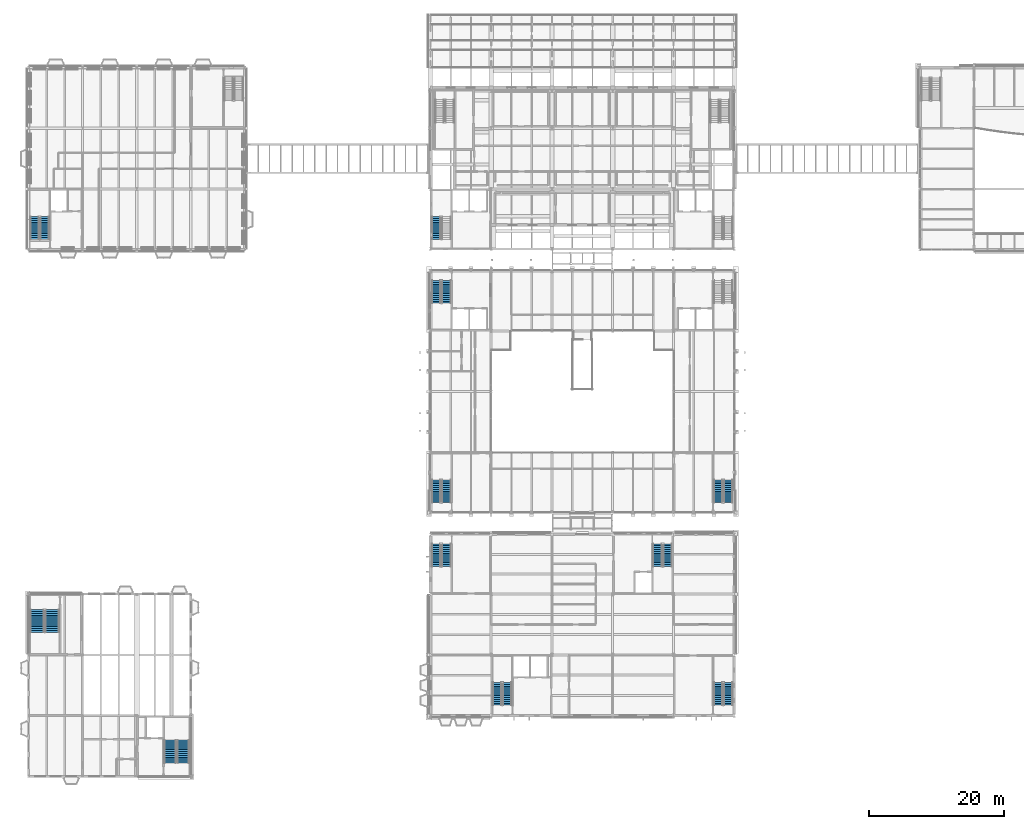
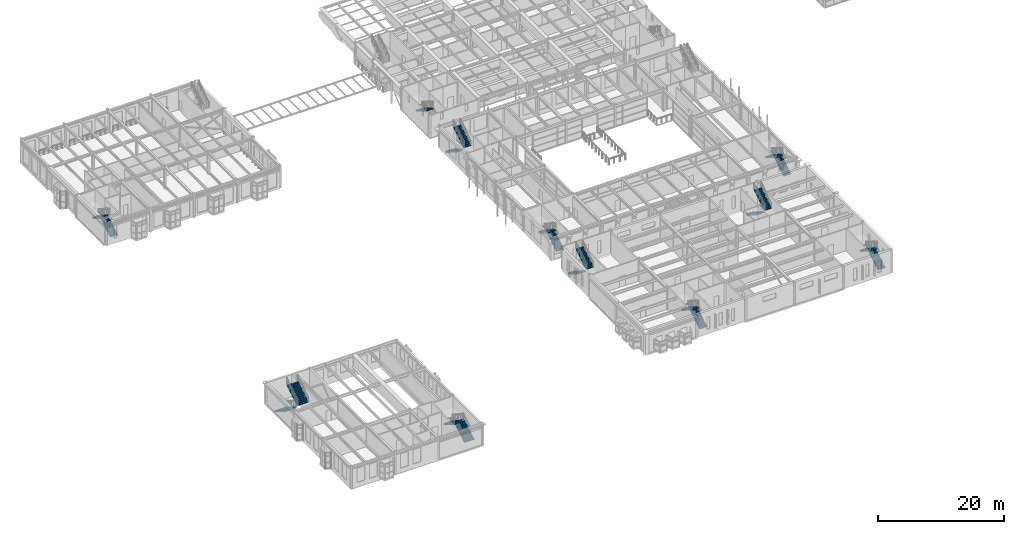
# One storey, part 109 of 153: 21 stair flights, 11 elements without a shape of their own.
"""IFC4 building model written with IfcOpenShell, lengths in metres."""

import ifcopenshell
import ifcopenshell.guid

model = None  # the IFC model being written
_history = None  # IfcOwnerHistory: only IFC2X3 demands one
_inside = {}  # id of a spatial element -> (the spatial element, [elements in it])
_under = {}  # id of a project, library or spatial element -> (it, [spatial elements below it])
_declared = {}  # id of a project -> (the project, [libraries it declares])
_typed = {}  # id of a type object -> (the type object, [elements of that type])
_made_of = {}  # id of a material, layer set ... -> (it, [elements and type objects made of it])


def new_model(schema):
    """Start an empty IFC model of exactly this schema.

    Asked for "IFC4X3", IfcOpenShell would pick the latest addendum, in which some entities
    have other attributes; the version numbers below select the first issue.
    IFC2X3 requires an IfcOwnerHistory on every rooted entity: one is made here for all.
    """
    global model, _history
    if schema == "IFC4X3":
        model = ifcopenshell.file(schema_version=(4, 3, 0, 0))
    else:
        model = ifcopenshell.file(schema=schema)
    _inside.clear()
    _under.clear()
    _declared.clear()
    _typed.clear()
    _made_of.clear()
    _history = None
    if model.schema == "IFC2X3":
        org = make("IfcOrganization", Name="unknown")
        user = make(
            "IfcPersonAndOrganization",
            ThePerson=make("IfcPerson", FamilyName="unknown"),
            TheOrganization=org,
        )
        app = make(
            "IfcApplication",
            ApplicationDeveloper=org,
            Version="unknown",
            ApplicationFullName="unknown",
            ApplicationIdentifier="unknown",
        )
        _history = make(
            "IfcOwnerHistory",
            OwningUser=user,
            OwningApplication=app,
            ChangeAction="ADDED",
            CreationDate=0,
        )
    return model


def make(cls, **values):
    """One entity of the class cls with the attributes given. An attribute that is None is left unset."""
    return model.create_entity(
        cls, **{name: value for name, value in values.items() if value is not None}
    )


def rooted(cls, **values):
    """An entity with a GlobalId (a new one), such as an element, a storey or a relation."""
    return make(cls, GlobalId=ifcopenshell.guid.new(), OwnerHistory=_history, **values)


def si_unit(unit_type, name, prefix=None):
    """IfcSIUnit, for example si_unit("LENGTHUNIT", "METRE", prefix="MILLI")."""
    return make("IfcSIUnit", UnitType=unit_type, Prefix=prefix, Name=name)


def assignment(units):
    """IfcUnitAssignment: the units of a project."""
    return None if units is None else make("IfcUnitAssignment", Units=units)


def point(xyz):
    """IfcCartesianPoint."""
    return None if xyz is None else make("IfcCartesianPoint", Coordinates=xyz)


def direction(xyz):
    """IfcDirection."""
    return None if xyz is None else make("IfcDirection", DirectionRatios=xyz)


def frame(location, z_axis=None, x_axis=None):
    """IfcAxis2Placement3D, a coordinate frame: its origin and axes. An axis left out is left unset."""
    return make(
        "IfcAxis2Placement3D",
        Location=point(location),
        Axis=direction(z_axis),
        RefDirection=direction(x_axis),
    )


def origin():
    """The frame at (0, 0, 0) with its axes left unset."""
    return frame((0.0, 0.0, 0.0))


def place(relative_to, where):
    """IfcLocalPlacement: puts the frame where relative to a parent placement (None: the world)."""
    return make(
        "IfcLocalPlacement", PlacementRelTo=relative_to, RelativePlacement=where
    )


def context(
    kind, dimensions, precision=None, world=None, true_north=None, identifier=None
):
    """IfcGeometricRepresentationContext, for example the 3D "Model" context."""
    return make(
        "IfcGeometricRepresentationContext",
        ContextIdentifier=identifier,
        ContextType=kind,
        CoordinateSpaceDimension=dimensions,
        Precision=precision,
        WorldCoordinateSystem=world,
        TrueNorth=true_north,
    )


def subcontext(parent, identifier, kind, view, scale=None):
    """IfcGeometricRepresentationSubContext, for example "Body" below "Model"."""
    return make(
        "IfcGeometricRepresentationSubContext",
        ContextIdentifier=identifier,
        ContextType=kind,
        ParentContext=parent,
        TargetScale=scale,
        TargetView=view,
    )


def project(units=None, contexts=None):
    """IfcProject with its units and contexts."""
    return rooted(
        "IfcProject",
        Name="project",
        RepresentationContexts=contexts,
        UnitsInContext=assignment(units),
    )


def spatial(cls, under=None, at=None, **own):
    """A site, building, storey or space (cls), placed at a placement, below another one or the project."""
    s = rooted(cls, ObjectPlacement=at, **own)
    if under is not None:
        _under.setdefault(under.id(), (under, []))[1].append(s)
    return s


def polyline(points):
    """IfcPolyline through the points."""
    return make("IfcPolyline", Points=[point(p) for p in points])


def outline(outer, holes=None, kind="AREA"):
    """IfcArbitraryClosedProfileDef: a profile drawn as a closed curve; with holes, ...WithVoids."""
    if holes is None:
        return make("IfcArbitraryClosedProfileDef", ProfileType=kind, OuterCurve=outer)
    return make(
        "IfcArbitraryProfileDefWithVoids",
        ProfileType=kind,
        OuterCurve=outer,
        InnerCurves=holes,
    )


def extrude(swept, where, along, depth):
    """IfcExtrudedAreaSolid: the profile swept, set in the frame where, extruded along a direction by depth."""
    return make(
        "IfcExtrudedAreaSolid",
        SweptArea=swept,
        Position=where,
        ExtrudedDirection=direction(along),
        Depth=depth,
    )


def shape(context_of_items, identifier, shape_type, items):
    """IfcShapeRepresentation: the items that make up one representation, for example the "Body"."""
    return make(
        "IfcShapeRepresentation",
        ContextOfItems=context_of_items,
        RepresentationIdentifier=identifier,
        RepresentationType=shape_type,
        Items=items,
    )


def material(Name=None, Category=None):
    """IfcMaterial."""
    return make("IfcMaterial", Name=Name, Category=Category)


def made_of(thing, what):
    """Note that an element or type object is made of a material, layer set ...; save() writes the relation."""
    if what is not None:
        _made_of.setdefault(what.id(), (what, []))[1].append(thing)
    return thing


def type_object(cls, material=None, **own):
    """A type object (cls), such as IfcWallType, which elements share."""
    return made_of(rooted(cls, **own), material)


def element(
    cls,
    number,
    at=None,
    inside=None,
    cuts=None,
    type_object=None,
    material=None,
    context=None,
    identifier="Body",
    shape_type=None,
    held_by="IfcProductDefinitionShape",
    body=None,
    shapes=None,
    **own,
):
    """One element of the class cls, such as IfcWall. Its Tag is "e" and its number.

    at: its placement. inside: the storey or other place that contains it. cuts: it is an
    opening in that element (IfcRelVoidsElement). A single representation is given by context,
    identifier, shape_type and body (its items); several are given by shapes. held_by: the class
    of the entity that holds the representations. save() writes the other relations.
    """
    e = rooted(cls, Tag="e%d" % number, ObjectPlacement=at, **own)
    if body is not None:
        shapes = [shape(context, identifier, shape_type, body)]
    if shapes is not None:
        e.Representation = make(held_by, Representations=shapes)
    if inside is not None:
        _inside.setdefault(inside.id(), (inside, []))[1].append(e)
    if cuts is not None:
        rooted(
            "IfcRelVoidsElement", RelatingBuildingElement=cuts, RelatedOpeningElement=e
        )
    if type_object is not None:
        _typed.setdefault(type_object.id(), (type_object, []))[1].append(e)
    return made_of(e, material)


def aggregate(whole, parts):
    """IfcRelAggregates: a whole, such as a stair, and the parts it consists of."""
    return rooted("IfcRelAggregates", RelatingObject=whole, RelatedObjects=parts)


def save(model, path):
    """Write the relations noted so far, then the file.

    IfcRelAggregates (storeys below a building ...), IfcRelContainedInSpatialStructure (elements
    in a storey), IfcRelDefinesByType, IfcRelAssociatesMaterial and IfcRelDeclares: one each for
    every whole, place, type object, material and project.
    """
    for whole, parts in _under.values():
        aggregate(whole, parts)
    for where, things in _inside.values():
        rooted(
            "IfcRelContainedInSpatialStructure",
            RelatedElements=things,
            RelatingStructure=where,
        )
    for kind, things in _typed.values():
        rooted("IfcRelDefinesByType", RelatedObjects=things, RelatingType=kind)
    for what, things in _made_of.values():
        rooted("IfcRelAssociatesMaterial", RelatedObjects=things, RelatingMaterial=what)
    for by, libraries in _declared.values():
        rooted("IfcRelDeclares", RelatingContext=by, RelatedDefinitions=libraries)
    model.write(path)


model = new_model("IFC4")

# Units and contexts
model_context = context("Model", 3, precision=1e-05, world=origin(), true_north=direction((0.0, 1.0)))
body_context = subcontext(model_context, "Body", "Model", "MODEL_VIEW")
ifc_project = project(units=[si_unit("LENGTHUNIT", "METRE"), si_unit("AREAUNIT", "SQUARE_METRE"), si_unit("VOLUMEUNIT", "CUBIC_METRE"), si_unit("PLANEANGLEUNIT", "RADIAN"), si_unit("MASSUNIT", "GRAM", prefix="KILO")], contexts=[model_context])

# Site, building, storey
site_placement = place(None, origin())
site = spatial("IfcSite", under=ifc_project, at=site_placement, CompositionType="ELEMENT")
building_placement = place(site_placement, origin())
building = spatial("IfcBuilding", under=site, at=building_placement, Name="Kallimachos Central Library", CompositionType="ELEMENT")
storey_placement = place(building_placement, frame((0.0, 0.0, 5.39990234375)))
storey = spatial("IfcBuildingStorey", under=building, at=storey_placement, Name="L01", CompositionType="ELEMENT", Elevation=5.39990234375)

# Stair, stair flights
ifc_material_1 = material(Name="Concrete C30/37", Category="concrete")
stair_type_1 = type_object("IfcStairType", Name="Concrete stair 1350", PredefinedType="HALF_TURN_STAIR", material=ifc_material_1)
stair_1_placement = place(storey_placement, origin())
stair_1 = element("IfcStair", 1, at=stair_1_placement, inside=storey, type_object=stair_type_1, Name="L01 stair ST13", PredefinedType="HALF_TURN_STAIR")
ifc_material_2 = material(Name="Concrete C30/37", Category="concrete")
stair_flight_type_1 = type_object("IfcStairFlightType", Name="Concrete stair flight 1350", PredefinedType="STRAIGHT", material=ifc_material_2)
stair_flight_1_placement = place(storey_placement, frame((76.875, 19.550048828125, 0.0), z_axis=(0.0, 0.0, 1.0), x_axis=(0.0, 1.0, 0.0)))
stair_flight_1 = element("IfcStairFlight", 2, at=stair_flight_1_placement, type_object=stair_flight_type_1, Name="ST13 flight 1", NumberOfRisers=13, NumberOfTreads=12, PredefinedType="STRAIGHT", RiserHeight=0.173076923, TreadLength=0.28, context=body_context, shape_type="SweptSolid", body=[
    extrude(outline(polyline([(0.0, 0.0), (0.0, 0.173095703125), (0.280029296875, 0.173095703125), (0.280029296875, 0.34619140625), (0.56005859375, 0.34619140625), (0.56005859375, 0.519287109375), (0.840087890625, 0.519287109375), (0.840087890625, 0.6923828125), (1.1201171875, 0.6923828125), (1.1201171875, 0.865478515625), (1.39990234375, 0.865478515625), (1.39990234375, 1.03857421875), (1.679931640625, 1.03857421875), (1.679931640625, 1.21142578125), (1.9599609375, 1.21142578125), (1.9599609375, 1.384521484375), (2.239990234375, 1.384521484375), (2.239990234375, 1.5576171875), (2.52001953125, 1.5576171875), (2.52001953125, 1.730712890625), (2.800048828125, 1.730712890625), (2.800048828125, 1.90380859375), (3.080078125, 1.90380859375), (3.080078125, 2.076904296875), (3.360107421875, 2.076904296875), (3.360107421875, 2.25), (3.360107421875, 1.900634765625), (0.28515625, 0.0), (0.0, 0.0)])), frame((0.0, 0.675048828125, 0.0), z_axis=(0.0, -1.0, 0.0), x_axis=(1.0, 0.0, 0.0)), (0.0, 0.0, 1.0), 1.35009765625),
])
stair_flight_2_placement = place(storey_placement, frame((75.375, 22.909912109375, 2.25), z_axis=(0.0, 0.0, 1.0), x_axis=(0.0, -1.0, 0.0)))
stair_flight_2 = element("IfcStairFlight", 3, at=stair_flight_2_placement, type_object=stair_flight_type_1, Name="ST13 flight 2", NumberOfRisers=13, NumberOfTreads=12, PredefinedType="STRAIGHT", RiserHeight=0.173076923, TreadLength=0.28, context=body_context, shape_type="SweptSolid", body=[
    extrude(outline(polyline([(0.0, 0.0), (0.0, 0.173095703125), (0.280029296875, 0.173095703125), (0.280029296875, 0.34619140625), (0.56005859375, 0.34619140625), (0.56005859375, 0.519287109375), (0.840087890625, 0.519287109375), (0.840087890625, 0.6923828125), (1.1201171875, 0.6923828125), (1.1201171875, 0.865478515625), (1.39990234375, 0.865478515625), (1.39990234375, 1.03857421875), (1.679931640625, 1.03857421875), (1.679931640625, 1.21142578125), (1.9599609375, 1.21142578125), (1.9599609375, 1.384521484375), (2.239990234375, 1.384521484375), (2.239990234375, 1.5576171875), (2.52001953125, 1.5576171875), (2.52001953125, 1.730712890625), (2.800048828125, 1.730712890625), (2.800048828125, 1.90380859375), (3.080078125, 1.90380859375), (3.080078125, 2.076904296875), (3.360107421875, 2.076904296875), (3.360107421875, 2.25), (3.360107421875, 1.900634765625), (0.28515625, 0.0), (0.0, 0.0)])), frame((0.0, 0.675048828125, 0.0), z_axis=(0.0, -1.0, 0.0), x_axis=(1.0, 0.0, 0.0)), (0.0, 0.0, 1.0), 1.35009765625),
])
aggregate(stair_1, [stair_flight_1, stair_flight_2])

stair_2_placement = place(storey_placement, origin())
stair_2 = element("IfcStair", 4, at=stair_2_placement, inside=storey, type_object=stair_type_1, Name="L01 stair ST14", PredefinedType="HALF_TURN_STAIR")
stair_flight_3_placement = place(storey_placement, frame((99.125, 43.449951171875, 0.0), z_axis=(0.0, 0.0, 1.0), x_axis=(0.0, -1.0, 0.0)))
stair_flight_3 = element("IfcStairFlight", 5, at=stair_flight_3_placement, type_object=stair_flight_type_1, Name="ST14 flight 1", NumberOfRisers=13, NumberOfTreads=12, PredefinedType="STRAIGHT", RiserHeight=0.173076923, TreadLength=0.28, context=body_context, shape_type="SweptSolid", body=[
    extrude(outline(polyline([(0.0, 0.0), (0.0, 0.173095703125), (0.280029296875, 0.173095703125), (0.280029296875, 0.34619140625), (0.56005859375, 0.34619140625), (0.56005859375, 0.519287109375), (0.840087890625, 0.519287109375), (0.840087890625, 0.6923828125), (1.1201171875, 0.6923828125), (1.1201171875, 0.865478515625), (1.39990234375, 0.865478515625), (1.39990234375, 1.03857421875), (1.679931640625, 1.03857421875), (1.679931640625, 1.21142578125), (1.9599609375, 1.21142578125), (1.9599609375, 1.384521484375), (2.239990234375, 1.384521484375), (2.239990234375, 1.5576171875), (2.52001953125, 1.5576171875), (2.52001953125, 1.730712890625), (2.800048828125, 1.730712890625), (2.800048828125, 1.90380859375), (3.080078125, 1.90380859375), (3.080078125, 2.076904296875), (3.360107421875, 2.076904296875), (3.360107421875, 2.25), (3.360107421875, 1.900634765625), (0.28515625, 0.0), (0.0, 0.0)])), frame((0.0, 0.675048828125, 0.0), z_axis=(0.0, -1.0, 0.0), x_axis=(1.0, 0.0, 0.0)), (0.0, 0.0, 1.0), 1.35009765625),
])
stair_flight_4_placement = place(storey_placement, frame((100.625, 40.090087890625, 2.25), z_axis=(0.0, 0.0, 1.0), x_axis=(0.0, 1.0, 0.0)))
stair_flight_4 = element("IfcStairFlight", 6, at=stair_flight_4_placement, type_object=stair_flight_type_1, Name="ST14 flight 2", NumberOfRisers=13, NumberOfTreads=12, PredefinedType="STRAIGHT", RiserHeight=0.173076923, TreadLength=0.28, context=body_context, shape_type="SweptSolid", body=[
    extrude(outline(polyline([(0.0, 0.0), (0.0, 0.173095703125), (0.280029296875, 0.173095703125), (0.280029296875, 0.34619140625), (0.56005859375, 0.34619140625), (0.56005859375, 0.519287109375), (0.840087890625, 0.519287109375), (0.840087890625, 0.6923828125), (1.1201171875, 0.6923828125), (1.1201171875, 0.865478515625), (1.39990234375, 0.865478515625), (1.39990234375, 1.03857421875), (1.679931640625, 1.03857421875), (1.679931640625, 1.21142578125), (1.9599609375, 1.21142578125), (1.9599609375, 1.384521484375), (2.239990234375, 1.384521484375), (2.239990234375, 1.5576171875), (2.52001953125, 1.5576171875), (2.52001953125, 1.730712890625), (2.800048828125, 1.730712890625), (2.800048828125, 1.90380859375), (3.080078125, 1.90380859375), (3.080078125, 2.076904296875), (3.360107421875, 2.076904296875), (3.360107421875, 2.25), (3.360107421875, 1.900634765625), (0.28515625, 0.0), (0.0, 0.0)])), frame((0.0, 0.675048828125, 0.0), z_axis=(0.0, -1.0, 0.0), x_axis=(1.0, 0.0, 0.0)), (0.0, 0.0, 1.0), 1.35009765625),
])
aggregate(stair_2, [stair_flight_3, stair_flight_4])

stair_3_placement = place(storey_placement, origin())
stair_3 = element("IfcStair", 7, at=stair_3_placement, inside=storey, type_object=stair_type_1, Name="L01 stair ST15", PredefinedType="HALF_TURN_STAIR")
stair_flight_5_placement = place(storey_placement, frame((66.375, 43.449951171875, 0.0), z_axis=(0.0, 0.0, 1.0), x_axis=(0.0, -1.0, 0.0)))
stair_flight_5 = element("IfcStairFlight", 8, at=stair_flight_5_placement, type_object=stair_flight_type_1, Name="ST15 flight 1", NumberOfRisers=13, NumberOfTreads=12, PredefinedType="STRAIGHT", RiserHeight=0.173076923, TreadLength=0.28, context=body_context, shape_type="SweptSolid", body=[
    extrude(outline(polyline([(0.0, 0.0), (0.0, 0.173095703125), (0.280029296875, 0.173095703125), (0.280029296875, 0.34619140625), (0.56005859375, 0.34619140625), (0.56005859375, 0.519287109375), (0.840087890625, 0.519287109375), (0.840087890625, 0.6923828125), (1.1201171875, 0.6923828125), (1.1201171875, 0.865478515625), (1.39990234375, 0.865478515625), (1.39990234375, 1.03857421875), (1.679931640625, 1.03857421875), (1.679931640625, 1.21142578125), (1.9599609375, 1.21142578125), (1.9599609375, 1.384521484375), (2.239990234375, 1.384521484375), (2.239990234375, 1.5576171875), (2.52001953125, 1.5576171875), (2.52001953125, 1.730712890625), (2.800048828125, 1.730712890625), (2.800048828125, 1.90380859375), (3.080078125, 1.90380859375), (3.080078125, 2.076904296875), (3.360107421875, 2.076904296875), (3.360107421875, 2.25), (3.360107421875, 1.900634765625), (0.28515625, 0.0), (0.0, 0.0)])), frame((0.0, 0.675048828125, 0.0), z_axis=(0.0, -1.0, 0.0), x_axis=(1.0, 0.0, 0.0)), (0.0, 0.0, 1.0), 1.35009765625),
])
stair_flight_6_placement = place(storey_placement, frame((67.875, 40.090087890625, 2.25), z_axis=(0.0, 0.0, 1.0), x_axis=(0.0, 1.0, 0.0)))
stair_flight_6 = element("IfcStairFlight", 9, at=stair_flight_6_placement, type_object=stair_flight_type_1, Name="ST15 flight 2", NumberOfRisers=13, NumberOfTreads=12, PredefinedType="STRAIGHT", RiserHeight=0.173076923, TreadLength=0.28, context=body_context, shape_type="SweptSolid", body=[
    extrude(outline(polyline([(0.0, 0.0), (0.0, 0.173095703125), (0.280029296875, 0.173095703125), (0.280029296875, 0.34619140625), (0.56005859375, 0.34619140625), (0.56005859375, 0.519287109375), (0.840087890625, 0.519287109375), (0.840087890625, 0.6923828125), (1.1201171875, 0.6923828125), (1.1201171875, 0.865478515625), (1.39990234375, 0.865478515625), (1.39990234375, 1.03857421875), (1.679931640625, 1.03857421875), (1.679931640625, 1.21142578125), (1.9599609375, 1.21142578125), (1.9599609375, 1.384521484375), (2.239990234375, 1.384521484375), (2.239990234375, 1.5576171875), (2.52001953125, 1.5576171875), (2.52001953125, 1.730712890625), (2.800048828125, 1.730712890625), (2.800048828125, 1.90380859375), (3.080078125, 1.90380859375), (3.080078125, 2.076904296875), (3.360107421875, 2.076904296875), (3.360107421875, 2.25), (3.360107421875, 1.900634765625), (0.28515625, 0.0), (0.0, 0.0)])), frame((0.0, 0.675048828125, 0.0), z_axis=(0.0, -1.0, 0.0), x_axis=(1.0, 0.0, 0.0)), (0.0, 0.0, 1.0), 1.35009765625),
])
aggregate(stair_3, [stair_flight_5, stair_flight_6])

stair_4_placement = place(storey_placement, origin())
stair_4 = element("IfcStair", 10, at=stair_4_placement, inside=storey, type_object=stair_type_1, Name="L01 stair ST16", PredefinedType="HALF_TURN_STAIR")
stair_flight_7_placement = place(storey_placement, frame((109.625, 19.550048828125, 0.0), z_axis=(0.0, 0.0, 1.0), x_axis=(0.0, 1.0, 0.0)))
stair_flight_7 = element("IfcStairFlight", 11, at=stair_flight_7_placement, type_object=stair_flight_type_1, Name="ST16 flight 1", NumberOfRisers=13, NumberOfTreads=12, PredefinedType="STRAIGHT", RiserHeight=0.173076923, TreadLength=0.28, context=body_context, shape_type="SweptSolid", body=[
    extrude(outline(polyline([(0.0, 0.0), (0.0, 0.173095703125), (0.280029296875, 0.173095703125), (0.280029296875, 0.34619140625), (0.56005859375, 0.34619140625), (0.56005859375, 0.519287109375), (0.840087890625, 0.519287109375), (0.840087890625, 0.6923828125), (1.1201171875, 0.6923828125), (1.1201171875, 0.865478515625), (1.39990234375, 0.865478515625), (1.39990234375, 1.03857421875), (1.679931640625, 1.03857421875), (1.679931640625, 1.21142578125), (1.9599609375, 1.21142578125), (1.9599609375, 1.384521484375), (2.239990234375, 1.384521484375), (2.239990234375, 1.5576171875), (2.52001953125, 1.5576171875), (2.52001953125, 1.730712890625), (2.800048828125, 1.730712890625), (2.800048828125, 1.90380859375), (3.080078125, 1.90380859375), (3.080078125, 2.076904296875), (3.360107421875, 2.076904296875), (3.360107421875, 2.25), (3.360107421875, 1.900634765625), (0.28515625, 0.0), (0.0, 0.0)])), frame((0.0, 0.675048828125, 0.0), z_axis=(0.0, -1.0, 0.0), x_axis=(1.0, 0.0, 0.0)), (0.0, 0.0, 1.0), 1.35009765625),
])
stair_flight_8_placement = place(storey_placement, frame((108.125, 22.909912109375, 2.25), z_axis=(0.0, 0.0, 1.0), x_axis=(0.0, -1.0, 0.0)))
stair_flight_8 = element("IfcStairFlight", 12, at=stair_flight_8_placement, type_object=stair_flight_type_1, Name="ST16 flight 2", NumberOfRisers=13, NumberOfTreads=12, PredefinedType="STRAIGHT", RiserHeight=0.173076923, TreadLength=0.28, context=body_context, shape_type="SweptSolid", body=[
    extrude(outline(polyline([(0.0, 0.0), (0.0, 0.173095703125), (0.280029296875, 0.173095703125), (0.280029296875, 0.34619140625), (0.56005859375, 0.34619140625), (0.56005859375, 0.519287109375), (0.840087890625, 0.519287109375), (0.840087890625, 0.6923828125), (1.1201171875, 0.6923828125), (1.1201171875, 0.865478515625), (1.39990234375, 0.865478515625), (1.39990234375, 1.03857421875), (1.679931640625, 1.03857421875), (1.679931640625, 1.21142578125), (1.9599609375, 1.21142578125), (1.9599609375, 1.384521484375), (2.239990234375, 1.384521484375), (2.239990234375, 1.5576171875), (2.52001953125, 1.5576171875), (2.52001953125, 1.730712890625), (2.800048828125, 1.730712890625), (2.800048828125, 1.90380859375), (3.080078125, 1.90380859375), (3.080078125, 2.076904296875), (3.360107421875, 2.076904296875), (3.360107421875, 2.25), (3.360107421875, 1.900634765625), (0.28515625, 0.0), (0.0, 0.0)])), frame((0.0, 0.675048828125, 0.0), z_axis=(0.0, -1.0, 0.0), x_axis=(1.0, 0.0, 0.0)), (0.0, 0.0, 1.0), 1.35009765625),
])
aggregate(stair_4, [stair_flight_7, stair_flight_8])

ifc_material_3 = material(Name="Concrete C30/37", Category="concrete")
stair_type_2 = type_object("IfcStairType", Name="Escape stair", PredefinedType="HALF_TURN_STAIR", material=ifc_material_3)
stair_5_placement = place(storey_placement, origin())
stair_5 = element("IfcStair", 13, at=stair_5_placement, inside=storey, type_object=stair_type_2, Name="L01 stair ST9", PredefinedType="HALF_TURN_STAIR")
ifc_material_4 = material(Name="Concrete C30/37", Category="concrete")
stair_flight_type_2 = type_object("IfcStairFlightType", Name="Stair flight", PredefinedType="STRAIGHT", material=ifc_material_4)
stair_flight_9_placement = place(storey_placement, frame((66.375, 82.449951171875, 0.0), z_axis=(0.0, 0.0, 1.0), x_axis=(0.0, -1.0, 0.0)))
stair_flight_9 = element("IfcStairFlight", 14, at=stair_flight_9_placement, type_object=stair_flight_type_2, Name="ST9 flight 1", NumberOfRisers=13, NumberOfTreads=12, PredefinedType="STRAIGHT", RiserHeight=0.173076923, TreadLength=0.28, context=body_context, shape_type="SweptSolid", body=[
    extrude(outline(polyline([(0.0, 0.0), (0.0, 0.173095703125), (0.280029296875, 0.173095703125), (0.280029296875, 0.34619140625), (0.56005859375, 0.34619140625), (0.56005859375, 0.519287109375), (0.840087890625, 0.519287109375), (0.840087890625, 0.6923828125), (1.1201171875, 0.6923828125), (1.1201171875, 0.865478515625), (1.39990234375, 0.865478515625), (1.39990234375, 1.03857421875), (1.679931640625, 1.03857421875), (1.679931640625, 1.21142578125), (1.9599609375, 1.21142578125), (1.9599609375, 1.384521484375), (2.239990234375, 1.384521484375), (2.239990234375, 1.5576171875), (2.52001953125, 1.5576171875), (2.52001953125, 1.730712890625), (2.800048828125, 1.730712890625), (2.800048828125, 1.90380859375), (3.080078125, 1.90380859375), (3.080078125, 2.076904296875), (3.360107421875, 2.076904296875), (3.360107421875, 2.25), (3.360107421875, 1.900634765625), (0.28515625, 0.0), (0.0, 0.0)])), frame((0.0, 0.675048828125, 0.0), z_axis=(0.0, -1.0, 0.0), x_axis=(1.0, 0.0, 0.0)), (0.0, 0.0, 1.0), 1.35009765625),
])
stair_flight_10_placement = place(storey_placement, frame((67.875, 79.090087890625, 2.25), z_axis=(0.0, 0.0, 1.0), x_axis=(0.0, 1.0, 0.0)))
stair_flight_10 = element("IfcStairFlight", 15, at=stair_flight_10_placement, type_object=stair_flight_type_2, Name="ST9 flight 2", NumberOfRisers=13, NumberOfTreads=12, PredefinedType="STRAIGHT", RiserHeight=0.173076923, TreadLength=0.28, context=body_context, shape_type="SweptSolid", body=[
    extrude(outline(polyline([(0.0, 0.0), (0.0, 0.173095703125), (0.280029296875, 0.173095703125), (0.280029296875, 0.34619140625), (0.56005859375, 0.34619140625), (0.56005859375, 0.519287109375), (0.840087890625, 0.519287109375), (0.840087890625, 0.6923828125), (1.1201171875, 0.6923828125), (1.1201171875, 0.865478515625), (1.39990234375, 0.865478515625), (1.39990234375, 1.03857421875), (1.679931640625, 1.03857421875), (1.679931640625, 1.21142578125), (1.9599609375, 1.21142578125), (1.9599609375, 1.384521484375), (2.239990234375, 1.384521484375), (2.239990234375, 1.5576171875), (2.52001953125, 1.5576171875), (2.52001953125, 1.730712890625), (2.800048828125, 1.730712890625), (2.800048828125, 1.90380859375), (3.080078125, 1.90380859375), (3.080078125, 2.076904296875), (3.360107421875, 2.076904296875), (3.360107421875, 2.25), (3.360107421875, 1.900634765625), (0.28515625, 0.0), (0.0, 0.0)])), frame((0.0, 0.675048828125, 0.0), z_axis=(0.0, -1.0, 0.0), x_axis=(1.0, 0.0, 0.0)), (0.0, 0.0, 1.0), 1.35009765625),
])
aggregate(stair_5, [stair_flight_9, stair_flight_10])

stair_6_placement = place(storey_placement, origin())
stair_6 = element("IfcStair", 16, at=stair_6_placement, inside=storey, type_object=stair_type_2, Name="L01 stair ST11", PredefinedType="HALF_TURN_STAIR")
stair_flight_11_placement = place(storey_placement, frame((67.875, 49.550048828125, 0.0), z_axis=(0.0, 0.0, 1.0), x_axis=(0.0, 1.0, 0.0)))
stair_flight_11 = element("IfcStairFlight", 17, at=stair_flight_11_placement, type_object=stair_flight_type_2, Name="ST11 flight 1", NumberOfRisers=13, NumberOfTreads=12, PredefinedType="STRAIGHT", RiserHeight=0.173076923, TreadLength=0.28, context=body_context, shape_type="SweptSolid", body=[
    extrude(outline(polyline([(0.0, 0.0), (0.0, 0.173095703125), (0.280029296875, 0.173095703125), (0.280029296875, 0.34619140625), (0.56005859375, 0.34619140625), (0.56005859375, 0.519287109375), (0.840087890625, 0.519287109375), (0.840087890625, 0.6923828125), (1.1201171875, 0.6923828125), (1.1201171875, 0.865478515625), (1.39990234375, 0.865478515625), (1.39990234375, 1.03857421875), (1.679931640625, 1.03857421875), (1.679931640625, 1.21142578125), (1.9599609375, 1.21142578125), (1.9599609375, 1.384521484375), (2.239990234375, 1.384521484375), (2.239990234375, 1.5576171875), (2.52001953125, 1.5576171875), (2.52001953125, 1.730712890625), (2.800048828125, 1.730712890625), (2.800048828125, 1.90380859375), (3.080078125, 1.90380859375), (3.080078125, 2.076904296875), (3.360107421875, 2.076904296875), (3.360107421875, 2.25), (3.360107421875, 1.900634765625), (0.28515625, 0.0), (0.0, 0.0)])), frame((0.0, 0.675048828125, 0.0), z_axis=(0.0, -1.0, 0.0), x_axis=(1.0, 0.0, 0.0)), (0.0, 0.0, 1.0), 1.35009765625),
])
stair_flight_12_placement = place(storey_placement, frame((66.375, 52.909912109375, 2.25), z_axis=(0.0, 0.0, 1.0), x_axis=(0.0, -1.0, 0.0)))
stair_flight_12 = element("IfcStairFlight", 18, at=stair_flight_12_placement, type_object=stair_flight_type_2, Name="ST11 flight 2", NumberOfRisers=13, NumberOfTreads=12, PredefinedType="STRAIGHT", RiserHeight=0.173076923, TreadLength=0.28, context=body_context, shape_type="SweptSolid", body=[
    extrude(outline(polyline([(0.0, 0.0), (0.0, 0.173095703125), (0.280029296875, 0.173095703125), (0.280029296875, 0.34619140625), (0.56005859375, 0.34619140625), (0.56005859375, 0.519287109375), (0.840087890625, 0.519287109375), (0.840087890625, 0.6923828125), (1.1201171875, 0.6923828125), (1.1201171875, 0.865478515625), (1.39990234375, 0.865478515625), (1.39990234375, 1.03857421875), (1.679931640625, 1.03857421875), (1.679931640625, 1.21142578125), (1.9599609375, 1.21142578125), (1.9599609375, 1.384521484375), (2.239990234375, 1.384521484375), (2.239990234375, 1.5576171875), (2.52001953125, 1.5576171875), (2.52001953125, 1.730712890625), (2.800048828125, 1.730712890625), (2.800048828125, 1.90380859375), (3.080078125, 1.90380859375), (3.080078125, 2.076904296875), (3.360107421875, 2.076904296875), (3.360107421875, 2.25), (3.360107421875, 1.900634765625), (0.28515625, 0.0), (0.0, 0.0)])), frame((0.0, 0.675048828125, 0.0), z_axis=(0.0, -1.0, 0.0), x_axis=(1.0, 0.0, 0.0)), (0.0, 0.0, 1.0), 1.35009765625),
])
aggregate(stair_6, [stair_flight_11, stair_flight_12])

stair_7_placement = place(storey_placement, origin())
stair_7 = element("IfcStair", 19, at=stair_7_placement, inside=storey, type_object=stair_type_2, Name="L01 stair ST12", PredefinedType="HALF_TURN_STAIR")
stair_flight_13_placement = place(storey_placement, frame((109.625, 49.550048828125, 0.0), z_axis=(0.0, 0.0, 1.0), x_axis=(0.0, 1.0, 0.0)))
stair_flight_13 = element("IfcStairFlight", 20, at=stair_flight_13_placement, type_object=stair_flight_type_2, Name="ST12 flight 1", NumberOfRisers=13, NumberOfTreads=12, PredefinedType="STRAIGHT", RiserHeight=0.173076923, TreadLength=0.28, context=body_context, shape_type="SweptSolid", body=[
    extrude(outline(polyline([(0.0, 0.0), (0.0, 0.173095703125), (0.280029296875, 0.173095703125), (0.280029296875, 0.34619140625), (0.56005859375, 0.34619140625), (0.56005859375, 0.519287109375), (0.840087890625, 0.519287109375), (0.840087890625, 0.6923828125), (1.1201171875, 0.6923828125), (1.1201171875, 0.865478515625), (1.39990234375, 0.865478515625), (1.39990234375, 1.03857421875), (1.679931640625, 1.03857421875), (1.679931640625, 1.21142578125), (1.9599609375, 1.21142578125), (1.9599609375, 1.384521484375), (2.239990234375, 1.384521484375), (2.239990234375, 1.5576171875), (2.52001953125, 1.5576171875), (2.52001953125, 1.730712890625), (2.800048828125, 1.730712890625), (2.800048828125, 1.90380859375), (3.080078125, 1.90380859375), (3.080078125, 2.076904296875), (3.360107421875, 2.076904296875), (3.360107421875, 2.25), (3.360107421875, 1.900634765625), (0.28515625, 0.0), (0.0, 0.0)])), frame((0.0, 0.675048828125, 0.0), z_axis=(0.0, -1.0, 0.0), x_axis=(1.0, 0.0, 0.0)), (0.0, 0.0, 1.0), 1.35009765625),
])
stair_flight_14_placement = place(storey_placement, frame((108.125, 52.909912109375, 2.25), z_axis=(0.0, 0.0, 1.0), x_axis=(0.0, -1.0, 0.0)))
stair_flight_14 = element("IfcStairFlight", 21, at=stair_flight_14_placement, type_object=stair_flight_type_2, Name="ST12 flight 2", NumberOfRisers=13, NumberOfTreads=12, PredefinedType="STRAIGHT", RiserHeight=0.173076923, TreadLength=0.28, context=body_context, shape_type="SweptSolid", body=[
    extrude(outline(polyline([(0.0, 0.0), (0.0, 0.173095703125), (0.280029296875, 0.173095703125), (0.280029296875, 0.34619140625), (0.56005859375, 0.34619140625), (0.56005859375, 0.519287109375), (0.840087890625, 0.519287109375), (0.840087890625, 0.6923828125), (1.1201171875, 0.6923828125), (1.1201171875, 0.865478515625), (1.39990234375, 0.865478515625), (1.39990234375, 1.03857421875), (1.679931640625, 1.03857421875), (1.679931640625, 1.21142578125), (1.9599609375, 1.21142578125), (1.9599609375, 1.384521484375), (2.239990234375, 1.384521484375), (2.239990234375, 1.5576171875), (2.52001953125, 1.5576171875), (2.52001953125, 1.730712890625), (2.800048828125, 1.730712890625), (2.800048828125, 1.90380859375), (3.080078125, 1.90380859375), (3.080078125, 2.076904296875), (3.360107421875, 2.076904296875), (3.360107421875, 2.25), (3.360107421875, 1.900634765625), (0.28515625, 0.0), (0.0, 0.0)])), frame((0.0, 0.675048828125, 0.0), z_axis=(0.0, -1.0, 0.0), x_axis=(1.0, 0.0, 0.0)), (0.0, 0.0, 1.0), 1.35009765625),
])
aggregate(stair_7, [stair_flight_13, stair_flight_14])

stair_8_placement = place(storey_placement, origin())
stair_8 = element("IfcStair", 22, at=stair_8_placement, inside=storey, type_object=stair_type_2, Name="L01 stair ST17", PredefinedType="HALF_TURN_STAIR")
stair_flight_15_placement = place(storey_placement, frame((28.89990234375, 11.0, 0.0), z_axis=(0.0, 0.0, 1.0), x_axis=(0.0, 1.0, 0.0)))
stair_flight_15 = element("IfcStairFlight", 23, at=stair_flight_15_placement, type_object=stair_flight_type_2, Name="ST17 flight 1", NumberOfRisers=13, NumberOfTreads=12, PredefinedType="STRAIGHT", RiserHeight=0.173076923, TreadLength=0.28, context=body_context, shape_type="SweptSolid", body=[
    extrude(outline(polyline([(0.0, 0.0), (0.0, 0.173095703125), (0.280029296875, 0.173095703125), (0.280029296875, 0.34619140625), (0.56005859375, 0.34619140625), (0.56005859375, 0.519287109375), (0.840087890625, 0.519287109375), (0.840087890625, 0.6923828125), (1.1201171875, 0.6923828125), (1.1201171875, 0.865478515625), (1.39990234375, 0.865478515625), (1.39990234375, 1.03857421875), (1.679931640625, 1.03857421875), (1.679931640625, 1.21142578125), (1.9599609375, 1.21142578125), (1.9599609375, 1.384521484375), (2.239990234375, 1.384521484375), (2.239990234375, 1.5576171875), (2.52001953125, 1.5576171875), (2.52001953125, 1.730712890625), (2.800048828125, 1.730712890625), (2.800048828125, 1.90380859375), (3.080078125, 1.90380859375), (3.080078125, 2.076904296875), (3.360107421875, 2.076904296875), (3.360107421875, 2.25), (3.360107421875, 1.900634765625), (0.28515625, 0.0), (0.0, 0.0)])), frame((0.0, 0.89990234375, 0.0), z_axis=(0.0, -1.0, 0.0), x_axis=(1.0, 0.0, 0.0)), (0.0, 0.0, 1.0), 1.800048828125),
])
stair_flight_16_placement = place(storey_placement, frame((26.949951171875, 14.360107421875, 2.25), z_axis=(0.0, 0.0, 1.0), x_axis=(0.0, -1.0, 0.0)))
stair_flight_16 = element("IfcStairFlight", 24, at=stair_flight_16_placement, type_object=stair_flight_type_2, Name="ST17 flight 2", NumberOfRisers=13, NumberOfTreads=12, PredefinedType="STRAIGHT", RiserHeight=0.173076923, TreadLength=0.28, context=body_context, shape_type="SweptSolid", body=[
    extrude(outline(polyline([(0.0, 0.0), (0.0, 0.173095703125), (0.280029296875, 0.173095703125), (0.280029296875, 0.34619140625), (0.56005859375, 0.34619140625), (0.56005859375, 0.519287109375), (0.840087890625, 0.519287109375), (0.840087890625, 0.6923828125), (1.1201171875, 0.6923828125), (1.1201171875, 0.865478515625), (1.39990234375, 0.865478515625), (1.39990234375, 1.03857421875), (1.679931640625, 1.03857421875), (1.679931640625, 1.21142578125), (1.9599609375, 1.21142578125), (1.9599609375, 1.384521484375), (2.239990234375, 1.384521484375), (2.239990234375, 1.5576171875), (2.52001953125, 1.5576171875), (2.52001953125, 1.730712890625), (2.800048828125, 1.730712890625), (2.800048828125, 1.90380859375), (3.080078125, 1.90380859375), (3.080078125, 2.076904296875), (3.360107421875, 2.076904296875), (3.360107421875, 2.25), (3.360107421875, 1.900634765625), (0.28515625, 0.0), (0.0, 0.0)])), frame((0.0, 0.89990234375, 0.0), z_axis=(0.0, -1.0, 0.0), x_axis=(1.0, 0.0, 0.0)), (0.0, 0.0, 1.0), 1.800048828125),
])
aggregate(stair_8, [stair_flight_15, stair_flight_16])

stair_9_placement = place(storey_placement, origin())
stair_9 = element("IfcStair", 25, at=stair_9_placement, inside=storey, type_object=stair_type_2, Name="L01 stair ST18", PredefinedType="HALF_TURN_STAIR")
stair_flight_17_placement = place(storey_placement, frame((7.25, 33.699951171875, 0.0), z_axis=(0.0, 0.0, 1.0), x_axis=(0.0, -1.0, 0.0)))
stair_flight_17 = element("IfcStairFlight", 26, at=stair_flight_17_placement, type_object=stair_flight_type_2, Name="ST18 flight 1", NumberOfRisers=13, NumberOfTreads=12, PredefinedType="STRAIGHT", RiserHeight=0.173076923, TreadLength=0.28, context=body_context, shape_type="SweptSolid", body=[
    extrude(outline(polyline([(0.0, 0.0), (0.0, 0.173095703125), (0.280029296875, 0.173095703125), (0.280029296875, 0.34619140625), (0.56005859375, 0.34619140625), (0.56005859375, 0.519287109375), (0.840087890625, 0.519287109375), (0.840087890625, 0.6923828125), (1.1201171875, 0.6923828125), (1.1201171875, 0.865478515625), (1.39990234375, 0.865478515625), (1.39990234375, 1.03857421875), (1.679931640625, 1.03857421875), (1.679931640625, 1.21142578125), (1.9599609375, 1.21142578125), (1.9599609375, 1.384521484375), (2.239990234375, 1.384521484375), (2.239990234375, 1.5576171875), (2.52001953125, 1.5576171875), (2.52001953125, 1.730712890625), (2.800048828125, 1.730712890625), (2.800048828125, 1.90380859375), (3.080078125, 1.90380859375), (3.080078125, 2.076904296875), (3.360107421875, 2.076904296875), (3.360107421875, 2.25), (3.360107421875, 1.900634765625), (0.28515625, 0.0), (0.0, 0.0)])), frame((0.0, 1.050048828125, 0.0), z_axis=(0.0, -1.0, 0.0), x_axis=(1.0, 0.0, 0.0)), (0.0, 0.0, 1.0), 2.10009765625),
])
stair_flight_18_placement = place(storey_placement, frame((9.5, 30.340087890625, 2.25), z_axis=(0.0, 0.0, 1.0), x_axis=(0.0, 1.0, 0.0)))
stair_flight_18 = element("IfcStairFlight", 27, at=stair_flight_18_placement, type_object=stair_flight_type_2, Name="ST18 flight 2", NumberOfRisers=13, NumberOfTreads=12, PredefinedType="STRAIGHT", RiserHeight=0.173076923, TreadLength=0.28, context=body_context, shape_type="SweptSolid", body=[
    extrude(outline(polyline([(0.0, 0.0), (0.0, 0.173095703125), (0.280029296875, 0.173095703125), (0.280029296875, 0.34619140625), (0.56005859375, 0.34619140625), (0.56005859375, 0.519287109375), (0.840087890625, 0.519287109375), (0.840087890625, 0.6923828125), (1.1201171875, 0.6923828125), (1.1201171875, 0.865478515625), (1.39990234375, 0.865478515625), (1.39990234375, 1.03857421875), (1.679931640625, 1.03857421875), (1.679931640625, 1.21142578125), (1.9599609375, 1.21142578125), (1.9599609375, 1.384521484375), (2.239990234375, 1.384521484375), (2.239990234375, 1.5576171875), (2.52001953125, 1.5576171875), (2.52001953125, 1.730712890625), (2.800048828125, 1.730712890625), (2.800048828125, 1.90380859375), (3.080078125, 1.90380859375), (3.080078125, 2.076904296875), (3.360107421875, 2.076904296875), (3.360107421875, 2.25), (3.360107421875, 1.900634765625), (0.28515625, 0.0), (0.0, 0.0)])), frame((0.0, 1.050048828125, 0.0), z_axis=(0.0, -1.0, 0.0), x_axis=(1.0, 0.0, 0.0)), (0.0, 0.0, 1.0), 2.10009765625),
])
aggregate(stair_9, [stair_flight_17, stair_flight_18])

ifc_material_5 = material(Name="Steel S355J2", Category="steel")
stair_type_3 = type_object("IfcStairType", Name="Escape stair half-turn", PredefinedType="HALF_TURN_STAIR", material=ifc_material_5)
stair_10_placement = place(storey_placement, origin())
stair_10 = element("IfcStair", 28, at=stair_10_placement, inside=storey, type_object=stair_type_3, Name="L01 stair ST5", PredefinedType="HALF_TURN_STAIR")
ifc_material_6 = material(Name="Steel S355J2", Category="steel")
stair_flight_type_3 = type_object("IfcStairFlightType", Name="Stair flight 1350", PredefinedType="STRAIGHT", material=ifc_material_6)
stair_flight_19_placement = place(storey_placement, frame((8.375, 88.550048828125, 0.0), z_axis=(0.0, 0.0, 1.0), x_axis=(0.0, 1.0, 0.0)))
stair_flight_19 = element("IfcStairFlight", 29, at=stair_flight_19_placement, type_object=stair_flight_type_3, Name="ST5 flight 1", NumberOfRisers=13, NumberOfTreads=12, PredefinedType="STRAIGHT", RiserHeight=0.173076923, TreadLength=0.28, context=body_context, shape_type="SweptSolid", body=[
    extrude(outline(polyline([(0.0, 0.0), (0.0, 0.173095703125), (0.280029296875, 0.173095703125), (0.280029296875, 0.34619140625), (0.56005859375, 0.34619140625), (0.56005859375, 0.519287109375), (0.840087890625, 0.519287109375), (0.840087890625, 0.6923828125), (1.1201171875, 0.6923828125), (1.1201171875, 0.865478515625), (1.39990234375, 0.865478515625), (1.39990234375, 1.03857421875), (1.679931640625, 1.03857421875), (1.679931640625, 1.21142578125), (1.9599609375, 1.21142578125), (1.9599609375, 1.384521484375), (2.239990234375, 1.384521484375), (2.239990234375, 1.5576171875), (2.52001953125, 1.5576171875), (2.52001953125, 1.730712890625), (2.800048828125, 1.730712890625), (2.800048828125, 1.90380859375), (3.080078125, 1.90380859375), (3.080078125, 2.076904296875), (3.360107421875, 2.076904296875), (3.360107421875, 2.25), (3.360107421875, 1.900634765625), (0.28515625, 0.0), (0.0, 0.0)])), frame((0.0, 0.675048828125, 0.0), z_axis=(0.0, -1.0, 0.0), x_axis=(1.0, 0.0, 0.0)), (0.0, 0.0, 1.0), 1.35009765625),
])
stair_flight_20_placement = place(storey_placement, frame((6.875, 91.909912109375, 2.25), z_axis=(0.0, 0.0, 1.0), x_axis=(0.0, -1.0, 0.0)))
stair_flight_20 = element("IfcStairFlight", 30, at=stair_flight_20_placement, type_object=stair_flight_type_3, Name="ST5 flight 2", NumberOfRisers=13, NumberOfTreads=12, PredefinedType="STRAIGHT", RiserHeight=0.173076923, TreadLength=0.28, context=body_context, shape_type="SweptSolid", body=[
    extrude(outline(polyline([(0.0, 0.0), (0.0, 0.173095703125), (0.280029296875, 0.173095703125), (0.280029296875, 0.34619140625), (0.56005859375, 0.34619140625), (0.56005859375, 0.519287109375), (0.840087890625, 0.519287109375), (0.840087890625, 0.6923828125), (1.1201171875, 0.6923828125), (1.1201171875, 0.865478515625), (1.39990234375, 0.865478515625), (1.39990234375, 1.03857421875), (1.679931640625, 1.03857421875), (1.679931640625, 1.21142578125), (1.9599609375, 1.21142578125), (1.9599609375, 1.384521484375), (2.239990234375, 1.384521484375), (2.239990234375, 1.5576171875), (2.52001953125, 1.5576171875), (2.52001953125, 1.730712890625), (2.800048828125, 1.730712890625), (2.800048828125, 1.90380859375), (3.080078125, 1.90380859375), (3.080078125, 2.076904296875), (3.360107421875, 2.076904296875), (3.360107421875, 2.25), (3.360107421875, 1.900634765625), (0.28515625, 0.0), (0.0, 0.0)])), frame((0.0, 0.675048828125, 0.0), z_axis=(0.0, -1.0, 0.0), x_axis=(1.0, 0.0, 0.0)), (0.0, 0.0, 1.0), 1.35009765625),
])
aggregate(stair_10, [stair_flight_19, stair_flight_20])

# Stair, stair flight
ifc_material_7 = material(Name="Steel S355J2", Category="steel")
stair_type_4 = type_object("IfcStairType", Name="Steel half-turn stair 1350", PredefinedType="HALF_TURN_STAIR", material=ifc_material_7)
stair_11_placement = place(storey_placement, origin())
stair_11 = element("IfcStair", 31, at=stair_11_placement, inside=storey, type_object=stair_type_4, Name="L01 stair ST1", PredefinedType="HALF_TURN_STAIR")
ifc_material_8 = material(Name="Steel S355J2", Category="steel")
stair_flight_type_4 = type_object("IfcStairFlightType", Name="Steel stair flight 1350", PredefinedType="STRAIGHT", material=ifc_material_8)
stair_flight_21_placement = place(storey_placement, frame((66.375, 91.909912109375, 2.25), z_axis=(0.0, 0.0, 1.0), x_axis=(0.0, -1.0, 0.0)))
stair_flight_21 = element("IfcStairFlight", 32, at=stair_flight_21_placement, type_object=stair_flight_type_4, Name="ST1 flight 2", NumberOfRisers=13, NumberOfTreads=12, PredefinedType="STRAIGHT", RiserHeight=0.173076923, TreadLength=0.28, context=body_context, shape_type="SweptSolid", body=[
    extrude(outline(polyline([(0.0, 0.0), (0.0, 0.173095703125), (0.280029296875, 0.173095703125), (0.280029296875, 0.34619140625), (0.56005859375, 0.34619140625), (0.56005859375, 0.519287109375), (0.840087890625, 0.519287109375), (0.840087890625, 0.6923828125), (1.1201171875, 0.6923828125), (1.1201171875, 0.865478515625), (1.39990234375, 0.865478515625), (1.39990234375, 1.03857421875), (1.679931640625, 1.03857421875), (1.679931640625, 1.21142578125), (1.9599609375, 1.21142578125), (1.9599609375, 1.384521484375), (2.239990234375, 1.384521484375), (2.239990234375, 1.5576171875), (2.52001953125, 1.5576171875), (2.52001953125, 1.730712890625), (2.800048828125, 1.730712890625), (2.800048828125, 1.90380859375), (3.080078125, 1.90380859375), (3.080078125, 2.076904296875), (3.360107421875, 2.076904296875), (3.360107421875, 2.25), (3.360107421875, 1.900634765625), (0.28515625, 0.0), (0.0, 0.0)])), frame((0.0, 0.675048828125, 0.0), z_axis=(0.0, -1.0, 0.0), x_axis=(1.0, 0.0, 0.0)), (0.0, 0.0, 1.0), 1.35009765625),
])
aggregate(stair_11, [stair_flight_21])

save(model, "model.ifc")
